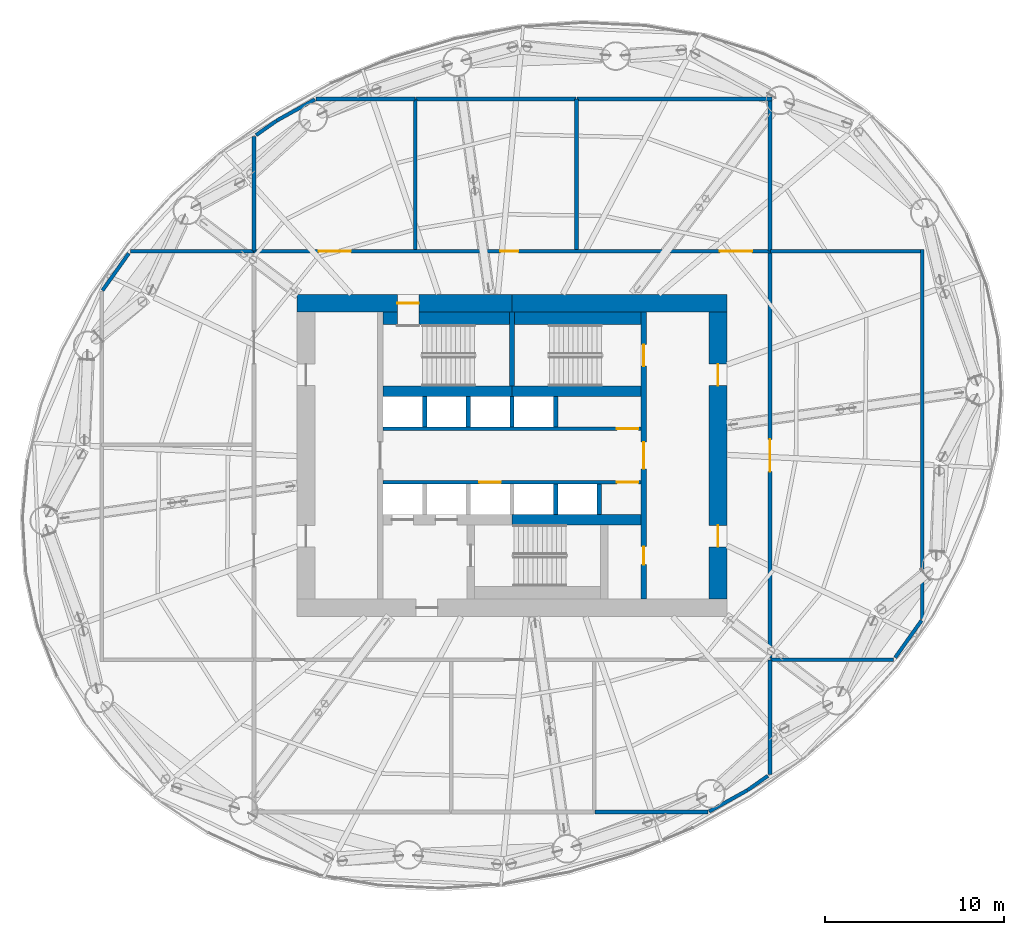
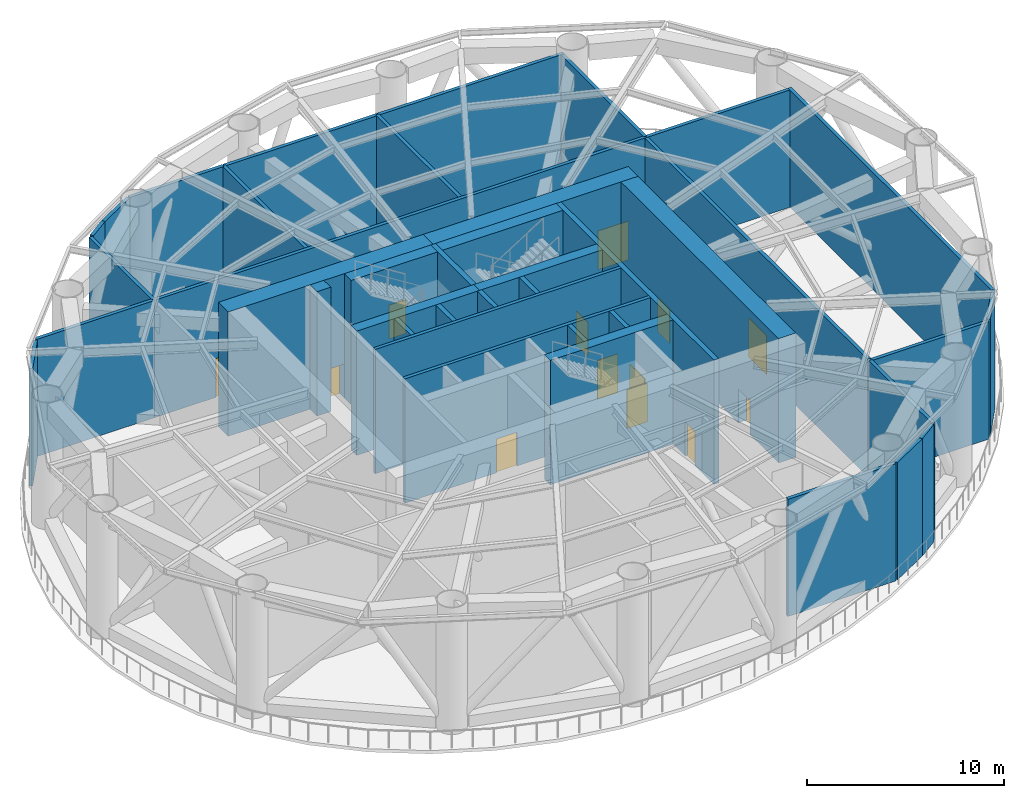
# One storey, part 6 of 15: 40 walls, 13 doors, 13 openings.
"""IFC4 building model written with IfcOpenShell, lengths in metres."""

from ifc_helpers import new_model, si_unit, direction, frame, frame_2d, origin, place, context, subcontext, project, spatial, rectangle, extrude, material, layer, layer_set, type_object, element, fill, save


model = new_model("IFC4")

# Units and contexts
model_context = context("Model", 3, precision=1e-05, world=origin(), true_north=direction((0.0, 1.0)))
body_context = subcontext(model_context, "Body", "Model", "MODEL_VIEW")
ifc_project = project(units=[si_unit("LENGTHUNIT", "METRE"), si_unit("AREAUNIT", "SQUARE_METRE"), si_unit("VOLUMEUNIT", "CUBIC_METRE"), si_unit("PLANEANGLEUNIT", "RADIAN"), si_unit("MASSUNIT", "GRAM", prefix="KILO")], contexts=[model_context])

# Site, building, storey
site_placement = place(None, origin())
site = spatial("IfcSite", under=ifc_project, at=site_placement, CompositionType="ELEMENT")
building_placement = place(site_placement, origin())
building = spatial("IfcBuilding", under=site, at=building_placement, Name="Vermilion Reach Broadcast Tower", CompositionType="ELEMENT")
storey_placement = place(building_placement, frame((0.0, 0.0, 135.39990234375)))
storey = spatial("IfcBuildingStorey", under=building, at=storey_placement, Name="L32", CompositionType="ELEMENT", Elevation=135.39990234375)

# Wall, openings, doors
ifc_material_1 = material(Name="Concrete C70", Category="concrete")
ifc_layer_1 = layer(ifc_material_1, 0.300048828125)
ifc_layer_set_1 = layer_set([ifc_layer_1], Name="Core inner wall 300 mm Concrete C70")
wall_type_1 = type_object("IfcWallType", Name="Core inner wall 300 mm Concrete C70", PredefinedType="SHEAR", material=ifc_layer_set_1)
wall_1_placement = place(storey_placement, frame((1.35009765625, -8.0, 0.0), z_axis=(0.0, 0.0, 1.0), x_axis=(0.0, 1.0, 0.0)))
wall_1 = element("IfcWall", 1, at=wall_1_placement, inside=storey, type_object=wall_type_1, Name="L32 core wall ewE", PredefinedType="SHEAR", context=body_context, shape_type="SweptSolid", body=[
    extrude(rectangle(XDim=16.0, YDim=0.300048828125, at=frame_2d((8.0, 0.0))), origin(), (0.0, 0.0, 1.0), 7.7001953125),
])
opening_1_placement = place(wall_1_placement, frame((12.989990234375, 0.0, 0.0)))
opening_1 = element("IfcOpeningElement", 2, at=opening_1_placement, cuts=wall_1, Name="Opening D01", PredefinedType="OPENING", context=body_context, shape_type="SweptSolid", body=[
    extrude(rectangle(XDim=1.199951171875, YDim=2.10009765625, at=frame_2d((0.60009765625, 1.050048828125))), frame((0.0, 0.159912109375, 0.0), z_axis=(0.0, -1.0, 0.0), x_axis=(1.0, 0.0, 0.0)), (0.0, 0.0, 1.0), 0.320068359375),
])
opening_2_placement = place(wall_1_placement, frame((1.909912109375, 0.0, 0.0)))
opening_2 = element("IfcOpeningElement", 3, at=opening_2_placement, cuts=wall_1, Name="Opening D05", PredefinedType="OPENING", context=body_context, shape_type="SweptSolid", body=[
    extrude(rectangle(XDim=1.0, YDim=2.10009765625, at=frame_2d((0.5, 1.050048828125))), frame((0.0, 0.159912109375, 0.0), z_axis=(0.0, -1.0, 0.0), x_axis=(1.0, 0.0, 0.0)), (0.0, 0.0, 1.0), 0.320068359375),
])
opening_3_placement = place(wall_1_placement, frame((7.25, 0.0, 0.0)))
opening_3 = element("IfcOpeningElement", 4, at=opening_3_placement, cuts=wall_1, Name="Opening D04", PredefinedType="OPENING", context=body_context, shape_type="SweptSolid", body=[
    extrude(rectangle(XDim=1.5, YDim=2.10009765625, at=frame_2d((0.75, 1.050048828125))), frame((0.0, 0.159912109375, 0.0), z_axis=(0.0, -1.0, 0.0), x_axis=(1.0, 0.0, 0.0)), (0.0, 0.0, 1.0), 0.320068359375),
])
ifc_material_2 = material(Name="Painted steel fire door", Category="steel")
door_type_1 = type_object("IfcDoorType", Name="Lift lobby door 1500 x 2100", OperationType="DOUBLE_DOOR_SINGLE_SWING", PredefinedType="NOTDEFINED", material=ifc_material_2)
door_1_placement = place(opening_3_placement, origin())
door_1 = element("IfcDoor", 5, at=door_1_placement, inside=storey, type_object=door_type_1, Name="L32 band door BE", OperationType="DOUBLE_DOOR_SINGLE_SWING", OverallHeight=2.10009765625, OverallWidth=1.5, PredefinedType="NOTDEFINED", context=body_context, shape_type="SweptSolid", body=[
    extrude(rectangle(XDim=1.5, YDim=2.10009765625, at=frame_2d((0.75, 1.050048828125))), frame((0.0, 0.02490234375, 0.0), z_axis=(0.0, -1.0, 0.0), x_axis=(1.0, 0.0, 0.0)), (0.0, 0.0, 1.0), 0.050048828125),
])
fill(opening_3, door_1)
ifc_material_3 = material(Name="Timber door", Category="wood")
door_type_2 = type_object("IfcDoorType", Name="Room door 1000 x 2100", OperationType="NOTDEFINED", PredefinedType="NOTDEFINED", material=ifc_material_3)
door_2_placement = place(opening_2_placement, origin())
door_2 = element("IfcDoor", 6, at=door_2_placement, inside=storey, type_object=door_type_2, Name="L32 door SER", OperationType="SINGLE_SWING_LEFT", OverallHeight=2.10009765625, OverallWidth=1.0, PredefinedType="NOTDEFINED", context=body_context, shape_type="SweptSolid", body=[
    extrude(rectangle(XDim=1.0, YDim=2.10009765625, at=frame_2d((0.5, 1.050048828125))), frame((0.0, 0.02490234375, 0.0), z_axis=(0.0, -1.0, 0.0), x_axis=(1.0, 0.0, 0.0)), (0.0, 0.0, 1.0), 0.050048828125),
])
fill(opening_2, door_2)
ifc_material_4 = material(Name="Painted steel fire door", Category="steel")
door_type_3 = type_object("IfcDoorType", Name="Stair door 1200 x 2100", OperationType="DOUBLE_DOOR_SINGLE_SWING", PredefinedType="NOTDEFINED", material=ifc_material_4)
door_3_placement = place(opening_1_placement, origin())
door_3 = element("IfcDoor", 7, at=door_3_placement, inside=storey, type_object=door_type_3, Name="L32 stair door ST2", OperationType="DOUBLE_DOOR_SINGLE_SWING", OverallHeight=2.10009765625, OverallWidth=1.199951171875, PredefinedType="NOTDEFINED", context=body_context, shape_type="SweptSolid", body=[
    extrude(rectangle(XDim=1.199951171875, YDim=2.10009765625, at=frame_2d((0.60009765625, 1.050048828125))), frame((0.0, 0.02490234375, 0.0), z_axis=(0.0, -1.0, 0.0), x_axis=(1.0, 0.0, 0.0)), (0.0, 0.0, 1.0), 0.050048828125),
])
fill(opening_1, door_3)

# Walls
wall_2_placement = place(storey_placement, frame((-6.0, 3.8798828125, 0.0), z_axis=(0.0, 0.0, 1.0), x_axis=(0.0, 1.0, 0.0)))
element("IfcWall", 8, at=wall_2_placement, inside=storey, type_object=wall_type_1, Name="L32 core wall wc", PredefinedType="SHEAR", context=body_context, shape_type="SweptSolid", body=[
    extrude(rectangle(XDim=4.1201171875, YDim=0.300048828125, at=frame_2d((2.06005859375, 0.0))), origin(), (0.0, 0.0, 1.0), 7.7001953125),
])
ifc_material_5 = material(Name="Concrete C70", Category="concrete")
ifc_layer_2 = layer(ifc_material_5, 0.60009765625)
ifc_layer_set_2 = layer_set([ifc_layer_2], Name="Core inner wall 600 mm Concrete C70")
wall_type_2 = type_object("IfcWallType", Name="Core inner wall 600 mm Concrete C70", PredefinedType="SHEAR", material=ifc_layer_set_2)
for number, where, z_axis, x_axis, name in (
    (9, (-13.199951171875, 3.580078125, 0.0), (0.0, 0.0, 1.0), (1.0, 0.0, 0.0), "L32 core wall winW"),
    (10, (-6.0, 3.580078125, 0.0), (0.0, 0.0, 1.0), (1.0, 0.0, 0.0), "L32 core wall winE"),
    (11, (-6.0, -3.580078125, 0.0), (0.0, 0.0, 1.0), (1.0, 0.0, 0.0), "L32 core wall wisE"),
):
    element("IfcWall", number, at=place(storey_placement, frame(where, z_axis=z_axis, x_axis=x_axis)), inside=storey, type_object=wall_type_2, Name=name, PredefinedType="SHEAR", context=body_context, shape_type="SweptSolid", body=[
        extrude(rectangle(XDim=7.199951171875, YDim=0.60009765625, at=frame_2d((3.60009765625, 0.0))), origin(), (0.0, 0.0, 1.0), 7.7001953125),
    ])
ifc_material_6 = material(Name="Concrete C70", Category="concrete")
ifc_layer_3 = layer(ifc_material_6, 1.0)
ifc_layer_set_3 = layer_set([ifc_layer_3], Name="Core outer wall 1000 mm Concrete C70")
wall_type_3 = type_object("IfcWallType", Name="Core outer wall 1000 mm Concrete C70", PredefinedType="SHEAR", material=ifc_layer_set_3)
wall_3_placement = place(storey_placement, frame((6.0, 8.5, 0.0), z_axis=(0.0, 0.0, 1.0), x_axis=(-1.0, 0.0, 0.0)))
element("IfcWall", 12, at=wall_3_placement, inside=storey, type_object=wall_type_3, Name="L32 core wall onE", PredefinedType="SHEAR", context=body_context, shape_type="SweptSolid", body=[
    extrude(rectangle(XDim=12.0, YDim=1.0, at=frame_2d((6.0, 0.0))), origin(), (0.0, 0.0, 1.0), 7.7001953125),
])

# Wall, opening, door
wall_4_placement = place(storey_placement, frame((-6.0, 8.5, 0.0), z_axis=(0.0, 0.0, 1.0), x_axis=(-1.0, 0.0, 0.0)))
wall_4 = element("IfcWall", 13, at=wall_4_placement, inside=storey, type_object=wall_type_3, Name="L32 core wall onW", PredefinedType="SHEAR", context=body_context, shape_type="SweptSolid", body=[
    extrude(rectangle(XDim=12.0, YDim=1.0, at=frame_2d((6.0, 0.0))), origin(), (0.0, 0.0, 1.0), 7.7001953125),
])
opening_4_placement = place(wall_4_placement, frame((5.199951171875, 0.0, 0.0)))
opening_4 = element("IfcOpeningElement", 14, at=opening_4_placement, cuts=wall_4, Name="Opening D01", PredefinedType="OPENING", context=body_context, shape_type="SweptSolid", body=[
    extrude(rectangle(XDim=1.199951171875, YDim=2.10009765625, at=frame_2d((0.60009765625, 1.050048828125))), frame((0.0, 0.510009765625, 0.0), z_axis=(0.0, -1.0, 0.0), x_axis=(1.0, 0.0, 0.0)), (0.0, 0.0, 1.0), 1.02001953125),
])
door_4_placement = place(opening_4_placement, origin())
door_4 = element("IfcDoor", 15, at=door_4_placement, inside=storey, type_object=door_type_3, Name="L32 stair door ST1", OperationType="DOUBLE_DOOR_SINGLE_SWING", OverallHeight=2.10009765625, OverallWidth=1.199951171875, PredefinedType="NOTDEFINED", context=body_context, shape_type="SweptSolid", body=[
    extrude(rectangle(XDim=1.199951171875, YDim=2.10009765625, at=frame_2d((0.60009765625, 1.050048828125))), frame((0.0, 0.02490234375, 0.0), z_axis=(0.0, -1.0, 0.0), x_axis=(1.0, 0.0, 0.0)), (0.0, 0.0, 1.0), 0.050048828125),
])
fill(opening_4, door_4)

# Wall, openings, doors
wall_5_placement = place(storey_placement, frame((5.5, -8.0, 0.0), z_axis=(0.0, 0.0, 1.0), x_axis=(0.0, 1.0, 0.0)))
wall_5 = element("IfcWall", 16, at=wall_5_placement, inside=storey, type_object=wall_type_3, Name="L32 core wall oe", PredefinedType="SHEAR", context=body_context, shape_type="SweptSolid", body=[
    extrude(rectangle(XDim=16.0, YDim=1.0, at=frame_2d((8.0, 0.0))), origin(), (0.0, 0.0, 1.0), 7.7001953125),
])
opening_5_placement = place(wall_5_placement, frame((2.89990234375, 0.0, 0.0)))
opening_5 = element("IfcOpeningElement", 17, at=opening_5_placement, cuts=wall_5, Name="Opening D03", PredefinedType="OPENING", context=body_context, shape_type="SweptSolid", body=[
    extrude(rectangle(XDim=1.199951171875, YDim=2.10009765625, at=frame_2d((0.60009765625, 1.050048828125))), frame((0.0, 0.510009765625, 0.0), z_axis=(0.0, -1.0, 0.0), x_axis=(1.0, 0.0, 0.0)), (0.0, 0.0, 1.0), 1.02001953125),
])
opening_6_placement = place(wall_5_placement, frame((11.89990234375, 0.0, 0.0)))
opening_6 = element("IfcOpeningElement", 18, at=opening_6_placement, cuts=wall_5, Name="Opening D03", PredefinedType="OPENING", context=body_context, shape_type="SweptSolid", body=[
    extrude(rectangle(XDim=1.199951171875, YDim=2.10009765625, at=frame_2d((0.60009765625, 1.050048828125))), frame((0.0, 0.510009765625, 0.0), z_axis=(0.0, -1.0, 0.0), x_axis=(1.0, 0.0, 0.0)), (0.0, 0.0, 1.0), 1.02001953125),
])
ifc_material_7 = material(Name="Painted steel fire door", Category="steel")
door_type_4 = type_object("IfcDoorType", Name="Core lobby door 1200 x 2100", OperationType="DOUBLE_DOOR_SINGLE_SWING", PredefinedType="NOTDEFINED", material=ifc_material_7)
door_5_placement = place(opening_5_placement, origin())
door_5 = element("IfcDoor", 19, at=door_5_placement, inside=storey, type_object=door_type_4, Name="L32 slot door E0", OperationType="DOUBLE_DOOR_SINGLE_SWING", OverallHeight=2.10009765625, OverallWidth=1.199951171875, PredefinedType="NOTDEFINED", context=body_context, shape_type="SweptSolid", body=[
    extrude(rectangle(XDim=1.199951171875, YDim=2.10009765625, at=frame_2d((0.60009765625, 1.050048828125))), frame((0.0, 0.02490234375, 0.0), z_axis=(0.0, -1.0, 0.0), x_axis=(1.0, 0.0, 0.0)), (0.0, 0.0, 1.0), 0.050048828125),
])
fill(opening_5, door_5)
door_6_placement = place(opening_6_placement, origin())
door_6 = element("IfcDoor", 20, at=door_6_placement, inside=storey, type_object=door_type_4, Name="L32 slot door E1", OperationType="DOUBLE_DOOR_SINGLE_SWING", OverallHeight=2.10009765625, OverallWidth=1.199951171875, PredefinedType="NOTDEFINED", context=body_context, shape_type="SweptSolid", body=[
    extrude(rectangle(XDim=1.199951171875, YDim=2.10009765625, at=frame_2d((0.60009765625, 1.050048828125))), frame((0.0, 0.02490234375, 0.0), z_axis=(0.0, -1.0, 0.0), x_axis=(1.0, 0.0, 0.0)), (0.0, 0.0, 1.0), 0.050048828125),
])
fill(opening_6, door_6)

# Wall, opening, door
ifc_material_8 = material(Name="Concrete C50", Category="concrete")
ifc_layer_4 = layer(ifc_material_8, 0.199951171875)
ifc_layer_set_4 = layer_set([ifc_layer_4], Name="Core shaft wall 200 mm Concrete C50")
wall_type_4 = type_object("IfcWallType", Name="Core shaft wall 200 mm Concrete C50", PredefinedType="SHEAR", material=ifc_layer_set_4)
wall_6_placement = place(storey_placement, frame((-13.199951171875, 1.5, 0.0), z_axis=(0.0, 0.0, 1.0), x_axis=(1.0, 0.0, 0.0)))
wall_6 = element("IfcWall", 21, at=wall_6_placement, inside=storey, type_object=wall_type_4, Name="L32 core wall fn", PredefinedType="SHEAR", context=body_context, shape_type="SweptSolid", body=[
    extrude(rectangle(XDim=14.39990234375, YDim=0.199951171875, at=frame_2d((7.199951171875, 0.0))), origin(), (0.0, 0.0, 1.0), 7.7001953125),
])
opening_7_placement = place(wall_6_placement, frame((13.050048828125, 0.0, 0.0)))
opening_7 = element("IfcOpeningElement", 22, at=opening_7_placement, cuts=wall_6, Name="Opening D09", PredefinedType="OPENING", context=body_context, shape_type="SweptSolid", body=[
    extrude(rectangle(XDim=1.199951171875, YDim=2.39990234375, at=frame_2d((0.60009765625, 1.199951171875))), frame((0.0, 0.10986328125, 0.0), z_axis=(0.0, -1.0, 0.0), x_axis=(1.0, 0.0, 0.0)), (0.0, 0.0, 1.0), 0.219970703125),
])
ifc_material_9 = material(Name="Painted steel fire door", Category="steel")
door_type_5 = type_object("IfcDoorType", Name="Plant room door 1200 x 2400", OperationType="DOUBLE_DOOR_SINGLE_SWING", PredefinedType="NOTDEFINED", material=ifc_material_9)
door_7_placement = place(opening_7_placement, origin())
door_7 = element("IfcDoor", 23, at=door_7_placement, inside=storey, type_object=door_type_5, Name="L32 door Plant room", OperationType="DOUBLE_DOOR_SINGLE_SWING", OverallHeight=2.39990234375, OverallWidth=1.199951171875, PredefinedType="NOTDEFINED", context=body_context, shape_type="SweptSolid", body=[
    extrude(rectangle(XDim=1.199951171875, YDim=2.39990234375, at=frame_2d((0.60009765625, 1.199951171875))), frame((0.0, 0.02490234375, 0.0), z_axis=(0.0, -1.0, 0.0), x_axis=(1.0, 0.0, 0.0)), (0.0, 0.0, 1.0), 0.050048828125),
])
fill(opening_7, door_7)

# Wall, openings, doors
wall_7_placement = place(storey_placement, frame((1.199951171875, -1.5, 0.0), z_axis=(0.0, 0.0, 1.0), x_axis=(-1.0, 0.0, 0.0)))
wall_7 = element("IfcWall", 24, at=wall_7_placement, inside=storey, type_object=wall_type_4, Name="L32 core wall fs", PredefinedType="SHEAR", context=body_context, shape_type="SweptSolid", body=[
    extrude(rectangle(XDim=14.39990234375, YDim=0.199951171875, at=frame_2d((7.199951171875, 0.0))), origin(), (0.0, 0.0, 1.0), 7.7001953125),
])
opening_8_placement = place(wall_7_placement, frame((7.82080078125, 0.0, 0.0)))
opening_8 = element("IfcOpeningElement", 25, at=opening_8_placement, cuts=wall_7, Name="Opening LD1", PredefinedType="OPENING", context=body_context, shape_type="SweptSolid", body=[
    extrude(rectangle(XDim=1.199951171875, YDim=2.10009765625, at=frame_2d((0.60009765625, 1.050048828125))), frame((0.0, 0.10986328125, 0.0), z_axis=(0.0, -1.0, 0.0), x_axis=(1.0, 0.0, 0.0)), (0.0, 0.0, 1.0), 0.219970703125),
])
opening_9_placement = place(wall_7_placement, frame((0.14990234375, 0.0, 0.0)))
opening_9 = element("IfcOpeningElement", 26, at=opening_9_placement, cuts=wall_7, Name="Opening D09", PredefinedType="OPENING", context=body_context, shape_type="SweptSolid", body=[
    extrude(rectangle(XDim=1.199951171875, YDim=2.39990234375, at=frame_2d((0.60009765625, 1.199951171875))), frame((0.0, 0.10986328125, 0.0), z_axis=(0.0, -1.0, 0.0), x_axis=(1.0, 0.0, 0.0)), (0.0, 0.0, 1.0), 0.219970703125),
])
ifc_material_10 = material(Name="Stainless steel", Category="steel")
door_type_6 = type_object("IfcDoorType", Name="Landing door 1200 x 2100", OperationType="DOUBLE_DOOR_SLIDING", PredefinedType="NOTDEFINED", material=ifc_material_10)
door_8_placement = place(opening_8_placement, origin())
door_8 = element("IfcDoor", 27, at=door_8_placement, inside=storey, type_object=door_type_6, Name="L32 landing door SV1", OperationType="DOUBLE_DOOR_SLIDING", OverallHeight=2.10009765625, OverallWidth=1.199951171875, PredefinedType="NOTDEFINED", context=body_context, shape_type="SweptSolid", body=[
    extrude(rectangle(XDim=1.199951171875, YDim=2.10009765625, at=frame_2d((0.60009765625, 1.050048828125))), frame((0.0, 0.02490234375, 0.0), z_axis=(0.0, -1.0, 0.0), x_axis=(1.0, 0.0, 0.0)), (0.0, 0.0, 1.0), 0.050048828125),
])
fill(opening_8, door_8)
door_9_placement = place(opening_9_placement, origin())
door_9 = element("IfcDoor", 28, at=door_9_placement, inside=storey, type_object=door_type_5, Name="L32 door Plant room", OperationType="DOUBLE_DOOR_SINGLE_SWING", OverallHeight=2.39990234375, OverallWidth=1.199951171875, PredefinedType="NOTDEFINED", context=body_context, shape_type="SweptSolid", body=[
    extrude(rectangle(XDim=1.199951171875, YDim=2.39990234375, at=frame_2d((0.60009765625, 1.199951171875))), frame((0.0, 0.02490234375, 0.0), z_axis=(0.0, -1.0, 0.0), x_axis=(1.0, 0.0, 0.0)), (0.0, 0.0, 1.0), 0.050048828125),
])
fill(opening_9, door_9)

# Walls
ifc_material_11 = material(Name="Concrete C50", Category="concrete")
ifc_layer_5 = layer(ifc_material_11, 0.25)
ifc_layer_set_5 = layer_set([ifc_layer_5], Name="Core shaft wall 250 mm Concrete C50")
wall_type_5 = type_object("IfcWallType", Name="Core shaft wall 250 mm Concrete C50", PredefinedType="SHEAR", material=ifc_layer_set_5)
for number, where, z_axis, x_axis, name in (
    (29, (-10.88330078125, 1.60009765625, 0.0), (0.0, 0.0, 1.0), (0.0, 1.0, 0.0), "L32 core wall psN0"),
    (30, (-8.441650390625, 1.60009765625, 0.0), (0.0, 0.0, 1.0), (0.0, 1.0, 0.0), "L32 core wall psN1"),
    (31, (-6.0, 1.60009765625, 0.0), (0.0, 0.0, 1.0), (0.0, 1.0, 0.0), "L32 core wall psN2"),
    (32, (-3.558349609375, 1.60009765625, 0.0), (0.0, 0.0, 1.0), (0.0, 1.0, 0.0), "L32 core wall psN3"),
    (33, (-3.558349609375, -1.60009765625, 0.0), (0.0, 0.0, 1.0), (0.0, -1.0, 0.0), "L32 core wall psS3"),
    (34, (-1.11669921875, -1.60009765625, 0.0), (0.0, 0.0, 1.0), (0.0, -1.0, 0.0), "L32 core wall psS4"),
):
    element("IfcWall", number, at=place(storey_placement, frame(where, z_axis=z_axis, x_axis=x_axis)), inside=storey, type_object=wall_type_5, Name=name, PredefinedType="SHEAR", context=body_context, shape_type="SweptSolid", body=[
        extrude(rectangle(XDim=1.679931640625, YDim=0.25, at=frame_2d((0.83984375, 0.0))), origin(), (0.0, 0.0, 1.0), 7.7001953125),
    ])
ifc_material_12 = material(Name="Concrete C70", Category="concrete")
ifc_layer_6 = layer(ifc_material_12, 0.699951171875)
ifc_layer_set_6 = layer_set([ifc_layer_6], Name="Core stair wall 700 mm Concrete C70")
wall_type_6 = type_object("IfcWallType", Name="Core stair wall 700 mm Concrete C70", PredefinedType="SHEAR", material=ifc_layer_set_6)
wall_8_placement = place(storey_placement, frame((-13.199951171875, 7.64990234375, 0.0), z_axis=(0.0, 0.0, 1.0), x_axis=(1.0, 0.0, 0.0)))
element("IfcWall", 35, at=wall_8_placement, inside=storey, type_object=wall_type_6, Name="L32 core wall l1a", PredefinedType="SHEAR", context=body_context, shape_type="SweptSolid", body=[
    extrude(rectangle(XDim=0.800048828125, YDim=0.699951171875, at=frame_2d((0.39990234375, 0.0))), origin(), (0.0, 0.0, 1.0), 7.7001953125),
])
wall_9_placement = place(storey_placement, frame((-11.199951171875, 7.64990234375, 0.0), z_axis=(0.0, 0.0, 1.0), x_axis=(1.0, 0.0, 0.0)))
element("IfcWall", 36, at=wall_9_placement, inside=storey, type_object=wall_type_6, Name="L32 core wall l1b", PredefinedType="SHEAR", context=body_context, shape_type="SweptSolid", body=[
    extrude(rectangle(XDim=5.050048828125, YDim=0.699951171875, at=frame_2d((2.52490234375, 0.0))), origin(), (0.0, 0.0, 1.0), 7.7001953125),
])
wall_10_placement = place(storey_placement, frame((-5.85009765625, 7.64990234375, 0.0), z_axis=(0.0, 0.0, 1.0), x_axis=(1.0, 0.0, 0.0)))
element("IfcWall", 37, at=wall_10_placement, inside=storey, type_object=wall_type_6, Name="L32 core wall l2a", PredefinedType="SHEAR", context=body_context, shape_type="SweptSolid", body=[
    extrude(rectangle(XDim=7.050048828125, YDim=0.699951171875, at=frame_2d((3.52490234375, 0.0))), origin(), (0.0, 0.0, 1.0), 7.7001953125),
])
ifc_material_13 = material(Name="Gypsum board shaft wall")
ifc_layer_7 = layer(ifc_material_13, 0.199951171875)
ifc_layer_set_7 = layer_set([ifc_layer_7], Name="Plant room wall 200")
wall_type_7 = type_object("IfcWallType", Name="Plant room wall 200", PredefinedType="PARTITIONING", material=ifc_layer_set_7)
wall_11_placement = place(storey_placement, frame((-27.30615234375, 11.39990234375, 0.0), z_axis=(0.0, 0.0, 1.0), x_axis=(1.0, 0.0, 0.0)))
element("IfcWall", 38, at=wall_11_placement, inside=storey, type_object=wall_type_7, Name="sp.wall.L32.000", PredefinedType="PARTITIONING", context=body_context, shape_type="SweptSolid", body=[
    extrude(rectangle(XDim=6.88623046875, YDim=0.199951171875, at=frame_2d((3.443115234375, 0.0))), origin(), (0.0, 0.0, 1.0), 7.26220703125),
])

# Wall, openings, doors
wall_12_placement = place(storey_placement, frame((8.5, 11.39990234375, 0.0), z_axis=(0.0, 0.0, 1.0), x_axis=(-1.0, 0.0, 0.0)))
wall_12 = element("IfcWall", 39, at=wall_12_placement, inside=storey, type_object=wall_type_7, Name="sp.wall.L32.001", PredefinedType="PARTITIONING", context=body_context, shape_type="SweptSolid", body=[
    extrude(rectangle(XDim=29.0, YDim=0.199951171875, at=frame_2d((14.5, 0.0))), origin(), (0.0, 0.0, 1.0), 7.26220703125),
])
opening_10_placement = place(wall_12_placement, frame((23.5, 0.0, 0.0)))
opening_10 = element("IfcOpeningElement", 40, at=opening_10_placement, cuts=wall_12, Name="Opening D53", PredefinedType="OPENING", context=body_context, shape_type="SweptSolid", body=[
    extrude(rectangle(XDim=1.800048828125, YDim=2.39990234375, at=frame_2d((0.89990234375, 1.199951171875))), frame((0.0, 0.10986328125, 0.0), z_axis=(0.0, -1.0, 0.0), x_axis=(1.0, 0.0, 0.0)), (0.0, 0.0, 1.0), 0.219970703125),
])
opening_11_placement = place(wall_12_placement, frame((14.14990234375, 0.0, 0.0)))
opening_11 = element("IfcOpeningElement", 41, at=opening_11_placement, cuts=wall_12, Name="Opening D54", PredefinedType="OPENING", context=body_context, shape_type="SweptSolid", body=[
    extrude(rectangle(XDim=1.0, YDim=2.10009765625, at=frame_2d((0.5, 1.050048828125))), frame((0.0, 0.10986328125, 0.0), z_axis=(0.0, -1.0, 0.0), x_axis=(1.0, 0.0, 0.0)), (0.0, 0.0, 1.0), 0.219970703125),
])
opening_12_placement = place(wall_12_placement, frame((1.10009765625, 0.0, 0.0)))
opening_12 = element("IfcOpeningElement", 42, at=opening_12_placement, cuts=wall_12, Name="Opening D53", PredefinedType="OPENING", context=body_context, shape_type="SweptSolid", body=[
    extrude(rectangle(XDim=1.800048828125, YDim=2.39990234375, at=frame_2d((0.89990234375, 1.199951171875))), frame((0.0, 0.10986328125, 0.0), z_axis=(0.0, -1.0, 0.0), x_axis=(1.0, 0.0, 0.0)), (0.0, 0.0, 1.0), 0.219970703125),
])
ifc_material_14 = material(Name="Timber and steel door set", Category="steel")
door_type_7 = type_object("IfcDoorType", Name="Fire door 1000x2100", OperationType="NOTDEFINED", PredefinedType="DOOR", material=ifc_material_14)
door_10_placement = place(opening_11_placement, origin())
door_10 = element("IfcDoor", 43, at=door_10_placement, inside=storey, type_object=door_type_7, Name="sp.door.L32.001", OperationType="SINGLE_SWING_RIGHT", OverallHeight=2.10009765625, OverallWidth=1.0, PredefinedType="DOOR", context=body_context, shape_type="SweptSolid", body=[
    extrude(rectangle(XDim=1.0, YDim=2.10009765625, at=frame_2d((0.5, 1.050048828125))), frame((0.0, 0.02490234375, 0.0), z_axis=(0.0, -1.0, 0.0), x_axis=(1.0, 0.0, 0.0)), (0.0, 0.0, 1.0), 0.050048828125),
])
fill(opening_11, door_10)
ifc_material_15 = material(Name="Timber and steel door set", Category="steel")
door_type_8 = type_object("IfcDoorType", Name="Plant double door 1800x2400", OperationType="NOTDEFINED", PredefinedType="DOOR", material=ifc_material_15)
door_11_placement = place(opening_10_placement, origin())
door_11 = element("IfcDoor", 44, at=door_11_placement, inside=storey, type_object=door_type_8, Name="sp.door.L32.000", OperationType="DOUBLE_DOOR_SINGLE_SWING", OverallHeight=2.39990234375, OverallWidth=1.800048828125, PredefinedType="DOOR", context=body_context, shape_type="SweptSolid", body=[
    extrude(rectangle(XDim=1.800048828125, YDim=2.39990234375, at=frame_2d((0.89990234375, 1.199951171875))), frame((0.0, 0.02490234375, 0.0), z_axis=(0.0, -1.0, 0.0), x_axis=(1.0, 0.0, 0.0)), (0.0, 0.0, 1.0), 0.050048828125),
])
fill(opening_10, door_11)
door_12_placement = place(opening_12_placement, origin())
door_12 = element("IfcDoor", 45, at=door_12_placement, inside=storey, type_object=door_type_8, Name="sp.door.L32.002", OperationType="DOUBLE_DOOR_SINGLE_SWING", OverallHeight=2.39990234375, OverallWidth=1.800048828125, PredefinedType="DOOR", context=body_context, shape_type="SweptSolid", body=[
    extrude(rectangle(XDim=1.800048828125, YDim=2.39990234375, at=frame_2d((0.89990234375, 1.199951171875))), frame((0.0, 0.02490234375, 0.0), z_axis=(0.0, -1.0, 0.0), x_axis=(1.0, 0.0, 0.0)), (0.0, 0.0, 1.0), 0.050048828125),
])
fill(opening_12, door_12)

# Walls
wall_13_placement = place(storey_placement, frame((8.419921875, 11.39990234375, 0.0), z_axis=(0.0, 0.0, 1.0), x_axis=(1.0, 0.0, 0.0)))
element("IfcWall", 46, at=wall_13_placement, inside=storey, type_object=wall_type_7, Name="sp.wall.L32.002", PredefinedType="PARTITIONING", context=body_context, shape_type="SweptSolid", body=[
    extrude(rectangle(XDim=8.380126953125, YDim=0.199951171875, at=frame_2d((4.18994140625, 0.0))), origin(), (0.0, 0.0, 1.0), 7.26220703125),
])
wall_14_placement = place(storey_placement, frame((8.419921875, -11.39990234375, 0.0), z_axis=(0.0, 0.0, 1.0), x_axis=(1.0, 0.0, 0.0)))
element("IfcWall", 47, at=wall_14_placement, inside=storey, type_object=wall_type_7, Name="sp.wall.L32.005", PredefinedType="PARTITIONING", context=body_context, shape_type="SweptSolid", body=[
    extrude(rectangle(XDim=6.88623046875, YDim=0.199951171875, at=frame_2d((3.443115234375, 0.0))), origin(), (0.0, 0.0, 1.0), 7.26220703125),
])
wall_15_placement = place(storey_placement, frame((8.39990234375, -17.79931640625, 0.0), z_axis=(0.0, 0.0, 1.0), x_axis=(0.0, 1.0, 0.0)))
element("IfcWall", 48, at=wall_15_placement, inside=storey, type_object=wall_type_7, Name="sp.wall.L32.006", PredefinedType="PARTITIONING", context=body_context, shape_type="SweptSolid", body=[
    extrude(rectangle(XDim=6.37939453125, YDim=0.199951171875, at=frame_2d((3.189697265625, 0.0))), origin(), (0.0, 0.0, 1.0), 7.26220703125),
])

# Wall, opening, door
wall_16_placement = place(storey_placement, frame((8.39990234375, -11.300048828125, 0.0), z_axis=(0.0, 0.0, 1.0), x_axis=(0.0, 1.0, 0.0)))
wall_16 = element("IfcWall", 49, at=wall_16_placement, inside=storey, type_object=wall_type_7, Name="sp.wall.L32.007", PredefinedType="PARTITIONING", context=body_context, shape_type="SweptSolid", body=[
    extrude(rectangle(XDim=22.60009765625, YDim=0.199951171875, at=frame_2d((11.300048828125, 0.0))), origin(), (0.0, 0.0, 1.0), 7.26220703125),
])
opening_13_placement = place(wall_16_placement, frame((10.39990234375, 0.0, 0.0)))
opening_13 = element("IfcOpeningElement", 50, at=opening_13_placement, cuts=wall_16, Name="Opening D53", PredefinedType="OPENING", context=body_context, shape_type="SweptSolid", body=[
    extrude(rectangle(XDim=1.800048828125, YDim=2.39990234375, at=frame_2d((0.89990234375, 1.199951171875))), frame((0.0, 0.10986328125, 0.0), z_axis=(0.0, -1.0, 0.0), x_axis=(1.0, 0.0, 0.0)), (0.0, 0.0, 1.0), 0.219970703125),
])
door_13_placement = place(opening_13_placement, origin())
door_13 = element("IfcDoor", 51, at=door_13_placement, inside=storey, type_object=door_type_8, Name="sp.door.L32.006", OperationType="DOUBLE_DOOR_SINGLE_SWING", OverallHeight=2.39990234375, OverallWidth=1.800048828125, PredefinedType="DOOR", context=body_context, shape_type="SweptSolid", body=[
    extrude(rectangle(XDim=1.800048828125, YDim=2.39990234375, at=frame_2d((0.89990234375, 1.199951171875))), frame((0.0, 0.02490234375, 0.0), z_axis=(0.0, -1.0, 0.0), x_axis=(1.0, 0.0, 0.0)), (0.0, 0.0, 1.0), 0.050048828125),
])
fill(opening_13, door_13)

# Walls
wall_17_placement = place(storey_placement, frame((8.39990234375, 11.419921875, 0.0), z_axis=(0.0, 0.0, 1.0), x_axis=(0.0, 1.0, 0.0)))
element("IfcWall", 52, at=wall_17_placement, inside=storey, type_object=wall_type_7, Name="sp.wall.L32.008", PredefinedType="PARTITIONING", context=body_context, shape_type="SweptSolid", body=[
    extrude(rectangle(XDim=8.380126953125, YDim=0.199951171875, at=frame_2d((4.18994140625, 0.0))), origin(), (0.0, 0.0, 1.0), 7.26220703125),
])
wall_18_placement = place(storey_placement, frame((-20.39990234375, 11.419921875, 0.0), z_axis=(0.0, 0.0, 1.0), x_axis=(0.0, 1.0, 0.0)))
element("IfcWall", 53, at=wall_18_placement, inside=storey, type_object=wall_type_7, Name="sp.wall.L32.011", PredefinedType="PARTITIONING", context=body_context, shape_type="SweptSolid", body=[
    extrude(rectangle(XDim=6.37939453125, YDim=0.199951171875, at=frame_2d((3.189697265625, 0.0))), origin(), (0.0, 0.0, 1.0), 7.26220703125),
])
for number, where, z_axis, x_axis, name in (
    (54, (-11.39990234375, 11.5, 0.0), (0.0, 0.0, 1.0), (0.0, 1.0, 0.0), "sp.wall.L32.012"),
    (55, (-2.39990234375, 11.5, 0.0), (0.0, 0.0, 1.0), (0.0, 1.0, 0.0), "sp.wall.L32.013"),
):
    element("IfcWall", number, at=place(storey_placement, frame(where, z_axis=z_axis, x_axis=x_axis)), inside=storey, type_object=wall_type_7, Name=name, PredefinedType="PARTITIONING", context=body_context, shape_type="SweptSolid", body=[
        extrude(rectangle(XDim=8.39990234375, YDim=0.199951171875, at=frame_2d((4.199951171875, 0.0))), origin(), (0.0, 0.0, 1.0), 7.26220703125),
    ])
wall_19_placement = place(storey_placement, frame((-20.283935546875, 17.881103515625, 0.0), z_axis=(0.0, 0.0, 1.0), x_axis=(0.817328173214, 0.576172419741, 0.0)))
element("IfcWall", 56, at=wall_19_placement, inside=storey, type_object=wall_type_7, Name="sp.wall.L32.017", PredefinedType="PARTITIONING", context=body_context, shape_type="SweptSolid", body=[
    extrude(rectangle(XDim=1.388916015625, YDim=0.199951171875, at=frame_2d((0.6943359375, 0.0))), origin(), (0.0, 0.0, 1.0), 7.26220703125),
])
wall_20_placement = place(storey_placement, frame((-19.139892578125, 18.687744140625, 0.0), z_axis=(0.0, 0.0, 1.0), x_axis=(0.874698255776, 0.484667887673, 0.0)))
element("IfcWall", 57, at=wall_20_placement, inside=storey, type_object=wall_type_7, Name="sp.wall.L32.018", PredefinedType="PARTITIONING", context=body_context, shape_type="SweptSolid", body=[
    extrude(rectangle(XDim=2.445556640625, YDim=0.199951171875, at=frame_2d((1.22265625, 0.0))), origin(), (0.0, 0.0, 1.0), 7.26220703125),
])
wall_21_placement = place(storey_placement, frame((-16.9521484375, 19.89990234375, 0.0), z_axis=(0.0, 0.0, 1.0), x_axis=(1.0, 0.0, 0.0)))
element("IfcWall", 58, at=wall_21_placement, inside=storey, type_object=wall_type_7, Name="sp.wall.L32.019", PredefinedType="PARTITIONING", context=body_context, shape_type="SweptSolid", body=[
    extrude(rectangle(XDim=5.5322265625, YDim=0.199951171875, at=frame_2d((2.76611328125, 0.0))), origin(), (0.0, 0.0, 1.0), 7.26220703125),
])
wall_22_placement = place(storey_placement, frame((-11.3798828125, 19.89990234375, 0.0), z_axis=(0.0, 0.0, 1.0), x_axis=(1.0, 0.0, 0.0)))
element("IfcWall", 59, at=wall_22_placement, inside=storey, type_object=wall_type_7, Name="sp.wall.L32.020", PredefinedType="PARTITIONING", context=body_context, shape_type="SweptSolid", body=[
    extrude(rectangle(XDim=8.9599609375, YDim=0.199951171875, at=frame_2d((4.47998046875, 0.0))), origin(), (0.0, 0.0, 1.0), 7.26220703125),
])
wall_23_placement = place(storey_placement, frame((-2.3798828125, 19.89990234375, 0.0), z_axis=(0.0, 0.0, 1.0), x_axis=(1.0, 0.0, 0.0)))
element("IfcWall", 60, at=wall_23_placement, inside=storey, type_object=wall_type_7, Name="sp.wall.L32.021", PredefinedType="PARTITIONING", context=body_context, shape_type="SweptSolid", body=[
    extrude(rectangle(XDim=10.8798828125, YDim=0.199951171875, at=frame_2d((5.43994140625, 0.0))), origin(), (0.0, 0.0, 1.0), 7.26220703125),
])
wall_24_placement = place(storey_placement, frame((-1.3798828125, -19.89990234375, 0.0), z_axis=(0.0, 0.0, 1.0), x_axis=(1.0, 0.0, 0.0)))
element("IfcWall", 61, at=wall_24_placement, inside=storey, type_object=wall_type_7, Name="sp.wall.L32.024", PredefinedType="PARTITIONING", context=body_context, shape_type="SweptSolid", body=[
    extrude(rectangle(XDim=6.33203125, YDim=0.199951171875, at=frame_2d((3.166015625, 0.0))), origin(), (0.0, 0.0, 1.0), 7.26220703125),
])
wall_25_placement = place(storey_placement, frame((7.148681640625, -18.681396484375, 0.0), z_axis=(0.0, 0.0, 1.0), x_axis=(0.817328173214, 0.576172419741, 0.0)))
element("IfcWall", 62, at=wall_25_placement, inside=storey, type_object=wall_type_7, Name="sp.wall.L32.025", PredefinedType="PARTITIONING", context=body_context, shape_type="SweptSolid", body=[
    extrude(rectangle(XDim=1.388916015625, YDim=0.199951171875, at=frame_2d((0.6943359375, 0.0))), origin(), (0.0, 0.0, 1.0), 7.26220703125),
])
wall_26_placement = place(storey_placement, frame((5.000732421875, -19.873046875, 0.0), z_axis=(0.0, 0.0, 1.0), x_axis=(0.874698255776, 0.484667887673, 0.0)))
element("IfcWall", 63, at=wall_26_placement, inside=storey, type_object=wall_type_7, Name="sp.wall.L32.026", PredefinedType="PARTITIONING", context=body_context, shape_type="SweptSolid", body=[
    extrude(rectangle(XDim=2.445556640625, YDim=0.199951171875, at=frame_2d((1.22265625, 0.0))), origin(), (0.0, 0.0, 1.0), 7.26220703125),
])
wall_27_placement = place(storey_placement, frame((16.89990234375, -9.1552734375, 0.0), z_axis=(0.0, 0.0, 1.0), x_axis=(0.0, 1.0, 0.0)))
element("IfcWall", 64, at=wall_27_placement, inside=storey, type_object=wall_type_7, Name="sp.wall.L32.027", PredefinedType="PARTITIONING", context=body_context, shape_type="SweptSolid", body=[
    extrude(rectangle(XDim=20.6552734375, YDim=0.199951171875, at=frame_2d((10.32763671875, 0.0))), origin(), (0.0, 0.0, 1.0), 7.26220703125),
])
for number, where, z_axis, x_axis, name in (
    (65, (15.3876953125, -11.28515625, 0.0), (0.0, 0.0, 1.0), (0.578936610042, 0.815372553838, 0.0), "sp.wall.L32.028"),
    (66, (-28.85888671875, 9.213134765625, 0.0), (0.0, 0.0, 1.0), (0.578936610042, 0.815372553838, 0.0), "sp.wall.L32.031"),
):
    element("IfcWall", number, at=place(storey_placement, frame(where, z_axis=z_axis, x_axis=x_axis)), inside=storey, type_object=wall_type_7, Name=name, PredefinedType="PARTITIONING", context=body_context, shape_type="SweptSolid", body=[
        extrude(rectangle(XDim=2.541259765625, YDim=0.199951171875, at=frame_2d((1.2705078125, 0.0))), origin(), (0.0, 0.0, 1.0), 7.26220703125),
    ])

save(model, "model.ifc")
